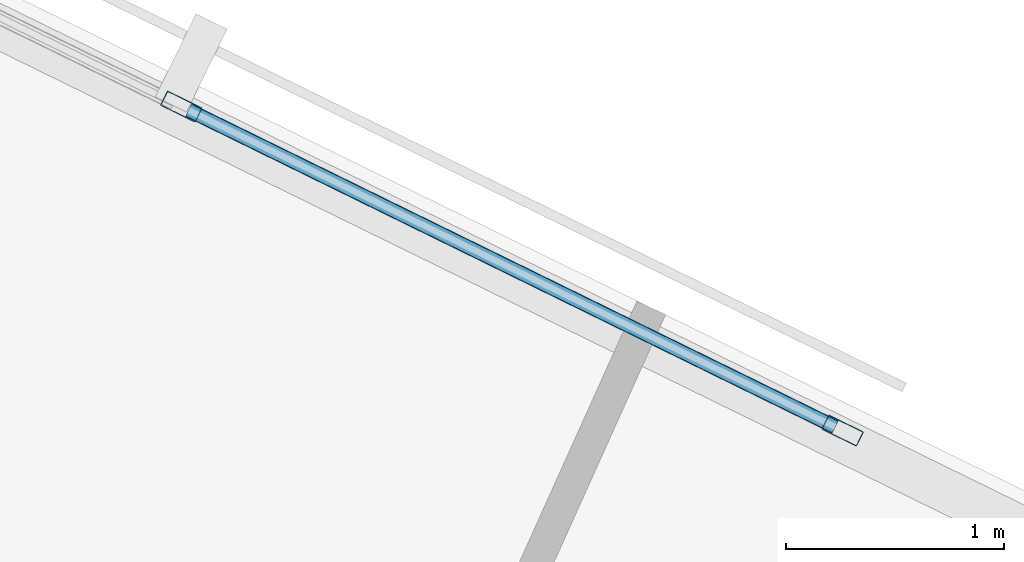
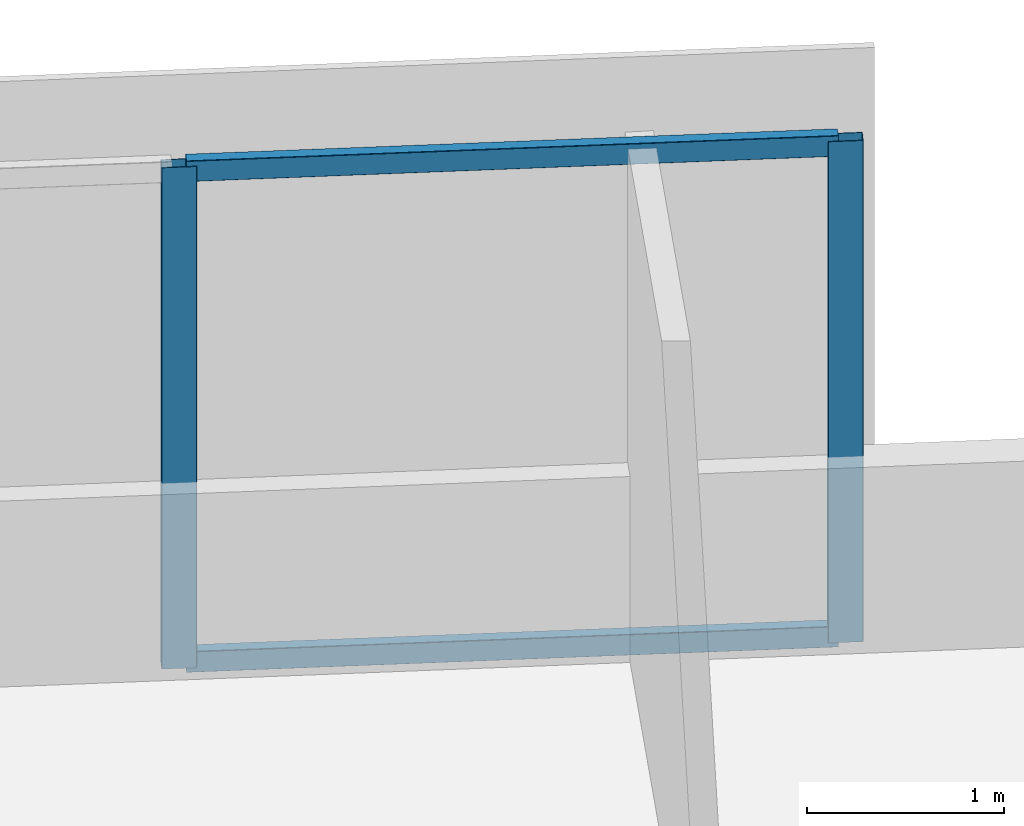
# One storey, part 2 of 20: 4 members, 1 element without a shape of its own.
"""IFC4 building model written with IfcOpenShell, lengths in metres."""

from ifc_helpers import new_model, si_unit, direction, frame, origin, origin_2d, place, context, subcontext, project, spatial, hollow_rectangle, extrude, material, material_profile, profile_set, type_object, element, aggregate, save


model = new_model("IFC4")

# Units and contexts
model_context = context("Model", 3, precision=1e-05, world=origin(), true_north=direction((0.0, 1.0)))
body_context = subcontext(model_context, "Body", "Model", "MODEL_VIEW")
ifc_project = project(units=[si_unit("LENGTHUNIT", "METRE"), si_unit("AREAUNIT", "SQUARE_METRE"), si_unit("VOLUMEUNIT", "CUBIC_METRE"), si_unit("PLANEANGLEUNIT", "RADIAN"), si_unit("MASSUNIT", "GRAM", prefix="KILO")], contexts=[model_context])

# Site, building, storey
site_placement = place(None, origin())
site = spatial("IfcSite", under=ifc_project, at=site_placement, CompositionType="ELEMENT")
building_placement = place(site_placement, origin())
building = spatial("IfcBuilding", under=site, at=building_placement, Name="Narakoshi Arena Tower", CompositionType="ELEMENT")
storey_placement = place(building_placement, frame((0.0, 0.0, 124.5)))
storey = spatial("IfcBuildingStorey", under=building, at=storey_placement, Name="L33", CompositionType="ELEMENT", Elevation=124.5)

# Curtain wall, members
ifc_material = material(Name="Anodised bronze aluminium 6063-T6", Category="aluminium")
curtain_wall_type = type_object("IfcCurtainWallType", Name="CW-HYP-LOW", PredefinedType="NOTDEFINED", material=ifc_material)
curtain_wall_placement = place(storey_placement, origin())
curtain_wall = element("IfcCurtainWall", 1, at=curtain_wall_placement, inside=storey, type_object=curtain_wall_type, Name="L33 Folded Hypotenuse Curtain Wall 2-1", PredefinedType="NOTDEFINED")
ifc_material_profile_1 = material_profile(ifc_material, hollow_rectangle(XDim=0.074951171875, YDim=0.179931640625, WallThickness=0.00390625, OuterFilletRadius=0.0048828125, at=origin_2d()), Name="MUL180x75x4")
ifc_profile_set_1 = profile_set([ifc_material_profile_1], Name="Anodised bronze aluminium 6063-T6")
member_type_1 = type_object("IfcMemberType", Name="MEM-MUL-180", PredefinedType="MULLION", material=ifc_profile_set_1)
member_1_placement = place(storey_placement, frame((87.598876953125, 62.51513671875, 0.0), z_axis=(0.0, 0.0, 1.0), x_axis=(-0.440004510198, -0.89799556291, 0.0)))
member_1 = element("IfcMember", 2, at=member_1_placement, type_object=member_type_1, Name="CW-01 mullion 1", PredefinedType="MULLION", context=body_context, shape_type="SweptSolid", body=[
    extrude(hollow_rectangle(XDim=0.074951171875, YDim=0.179931640625, WallThickness=0.00390625, OuterFilletRadius=0.0048828125, at=origin_2d()), origin(), (0.0, 0.0, 1.0), 3.10009765625),
])
member_2_placement = place(storey_placement, frame((84.559326171875, 64.00439453125, 0.0), z_axis=(0.0, 0.0, 1.0), x_axis=(-0.440004510198, -0.89799556291, 0.0)))
member_2 = element("IfcMember", 3, at=member_2_placement, type_object=member_type_1, Name="CW-01 mullion 2", PredefinedType="MULLION", context=body_context, shape_type="SweptSolid", body=[
    extrude(hollow_rectangle(XDim=0.074951171875, YDim=0.179931640625, WallThickness=0.00390625, OuterFilletRadius=0.0048828125, at=origin_2d()), origin(), (0.0, 0.0, 1.0), 3.10009765625),
])
ifc_material_profile_2 = material_profile(ifc_material, hollow_rectangle(XDim=0.06494140625, YDim=0.1298828125, WallThickness=0.00390625, OuterFilletRadius=0.0048828125, at=origin_2d()), Name="TRN130x65x4")
ifc_profile_set_2 = profile_set([ifc_material_profile_2], Name="Anodised bronze aluminium 6063-T6")
member_type_2 = type_object("IfcMemberType", Name="MEM-TRN-130", PredefinedType="USERDEFINED", material=ifc_profile_set_2)
member_3_placement = place(storey_placement, frame((87.565185546875, 62.531494140625, 0.032470703125), z_axis=(-0.897968733038, 0.44005926247, 0.0), x_axis=(-0.44005926247, -0.897968733038, 0.0)))
member_3 = element("IfcMember", 4, at=member_3_placement, type_object=member_type_2, Name="CW-01 transom 1.1", ObjectType="TRANSOM", PredefinedType="USERDEFINED", context=body_context, shape_type="SweptSolid", body=[
    extrude(hollow_rectangle(XDim=0.06494140625, YDim=0.1298828125, WallThickness=0.00390625, OuterFilletRadius=0.0048828125, at=origin_2d()), origin(), (0.0, 0.0, 1.0), 3.309814453125),
])
member_4_placement = place(storey_placement, frame((87.565185546875, 62.531494140625, 3.0673828125), z_axis=(-0.897968733038, 0.44005926247, 0.0), x_axis=(-0.44005926247, -0.897968733038, 0.0)))
member_4 = element("IfcMember", 5, at=member_4_placement, type_object=member_type_2, Name="CW-01 transom 1.2", ObjectType="TRANSOM", PredefinedType="USERDEFINED", context=body_context, shape_type="SweptSolid", body=[
    extrude(hollow_rectangle(XDim=0.06494140625, YDim=0.1298828125, WallThickness=0.00390625, OuterFilletRadius=0.0048828125, at=origin_2d()), origin(), (0.0, 0.0, 1.0), 3.309814453125),
])
aggregate(curtain_wall, [member_1, member_2, member_3, member_4])

save(model, "model.ifc")
